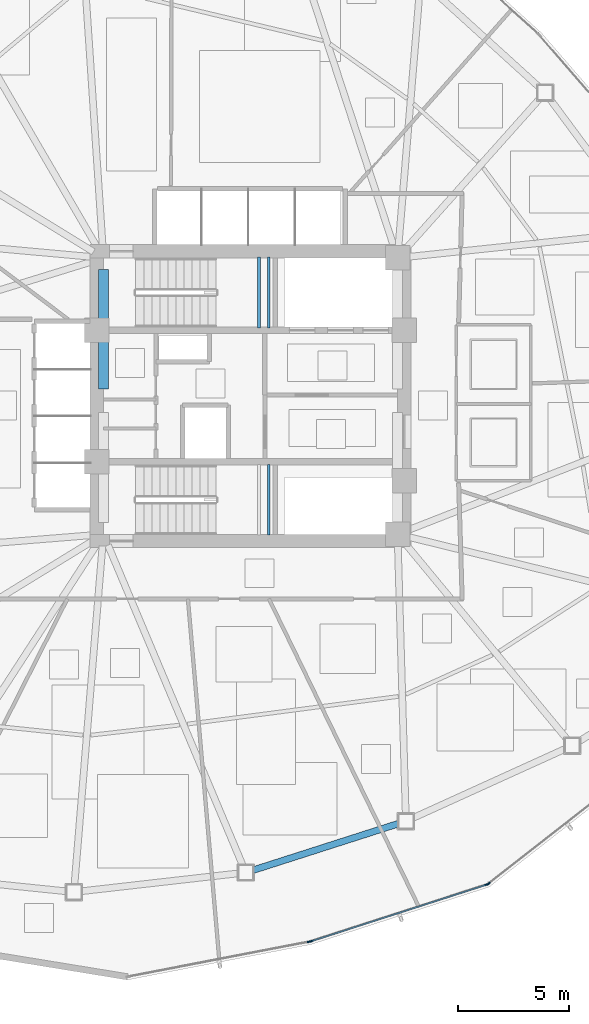
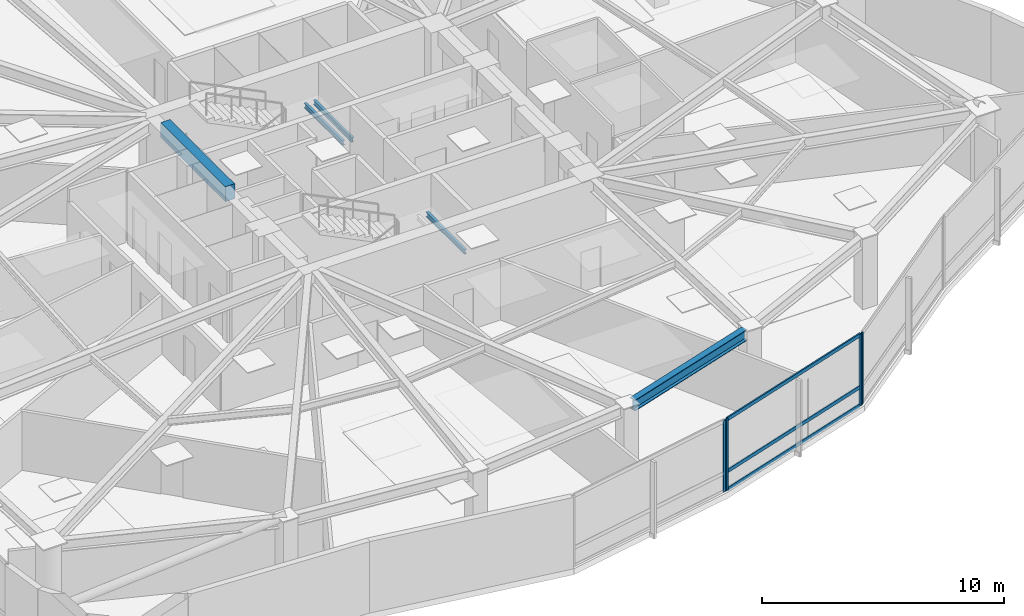
# One storey, part 5 of 17: 7 members, 5 beams, 3 elements without a shape of their own.
"""IFC4 building model written with IfcOpenShell, lengths in metres."""

import ifcopenshell
import ifcopenshell.guid

model = None  # the IFC model being written
_history = None  # IfcOwnerHistory: only IFC2X3 demands one
_inside = {}  # id of a spatial element -> (the spatial element, [elements in it])
_under = {}  # id of a project, library or spatial element -> (it, [spatial elements below it])
_declared = {}  # id of a project -> (the project, [libraries it declares])
_typed = {}  # id of a type object -> (the type object, [elements of that type])
_made_of = {}  # id of a material, layer set ... -> (it, [elements and type objects made of it])


def new_model(schema):
    """Start an empty IFC model of exactly this schema.

    Asked for "IFC4X3", IfcOpenShell would pick the latest addendum, in which some entities
    have other attributes; the version numbers below select the first issue.
    IFC2X3 requires an IfcOwnerHistory on every rooted entity: one is made here for all.
    """
    global model, _history
    if schema == "IFC4X3":
        model = ifcopenshell.file(schema_version=(4, 3, 0, 0))
    else:
        model = ifcopenshell.file(schema=schema)
    _inside.clear()
    _under.clear()
    _declared.clear()
    _typed.clear()
    _made_of.clear()
    _history = None
    if model.schema == "IFC2X3":
        org = make("IfcOrganization", Name="unknown")
        user = make(
            "IfcPersonAndOrganization",
            ThePerson=make("IfcPerson", FamilyName="unknown"),
            TheOrganization=org,
        )
        app = make(
            "IfcApplication",
            ApplicationDeveloper=org,
            Version="unknown",
            ApplicationFullName="unknown",
            ApplicationIdentifier="unknown",
        )
        _history = make(
            "IfcOwnerHistory",
            OwningUser=user,
            OwningApplication=app,
            ChangeAction="ADDED",
            CreationDate=0,
        )
    return model


def make(cls, **values):
    """One entity of the class cls with the attributes given. An attribute that is None is left unset."""
    return model.create_entity(
        cls, **{name: value for name, value in values.items() if value is not None}
    )


def rooted(cls, **values):
    """An entity with a GlobalId (a new one), such as an element, a storey or a relation."""
    return make(cls, GlobalId=ifcopenshell.guid.new(), OwnerHistory=_history, **values)


def si_unit(unit_type, name, prefix=None):
    """IfcSIUnit, for example si_unit("LENGTHUNIT", "METRE", prefix="MILLI")."""
    return make("IfcSIUnit", UnitType=unit_type, Prefix=prefix, Name=name)


def assignment(units):
    """IfcUnitAssignment: the units of a project."""
    return None if units is None else make("IfcUnitAssignment", Units=units)


def point(xyz):
    """IfcCartesianPoint."""
    return None if xyz is None else make("IfcCartesianPoint", Coordinates=xyz)


def direction(xyz):
    """IfcDirection."""
    return None if xyz is None else make("IfcDirection", DirectionRatios=xyz)


def frame(location, z_axis=None, x_axis=None):
    """IfcAxis2Placement3D, a coordinate frame: its origin and axes. An axis left out is left unset."""
    return make(
        "IfcAxis2Placement3D",
        Location=point(location),
        Axis=direction(z_axis),
        RefDirection=direction(x_axis),
    )


def frame_2d(location, x_axis=None):
    """IfcAxis2Placement2D, a coordinate frame in the plane: its origin and x axis."""
    return make(
        "IfcAxis2Placement2D", Location=point(location), RefDirection=direction(x_axis)
    )


def origin():
    """The frame at (0, 0, 0) with its axes left unset."""
    return frame((0.0, 0.0, 0.0))


def origin_2d():
    """The frame at (0, 0) in the plane with its x axis left unset."""
    return frame_2d((0.0, 0.0))


def place(relative_to, where):
    """IfcLocalPlacement: puts the frame where relative to a parent placement (None: the world)."""
    return make(
        "IfcLocalPlacement", PlacementRelTo=relative_to, RelativePlacement=where
    )


def context(
    kind, dimensions, precision=None, world=None, true_north=None, identifier=None
):
    """IfcGeometricRepresentationContext, for example the 3D "Model" context."""
    return make(
        "IfcGeometricRepresentationContext",
        ContextIdentifier=identifier,
        ContextType=kind,
        CoordinateSpaceDimension=dimensions,
        Precision=precision,
        WorldCoordinateSystem=world,
        TrueNorth=true_north,
    )


def subcontext(parent, identifier, kind, view, scale=None):
    """IfcGeometricRepresentationSubContext, for example "Body" below "Model"."""
    return make(
        "IfcGeometricRepresentationSubContext",
        ContextIdentifier=identifier,
        ContextType=kind,
        ParentContext=parent,
        TargetScale=scale,
        TargetView=view,
    )


def project(units=None, contexts=None):
    """IfcProject with its units and contexts."""
    return rooted(
        "IfcProject",
        Name="project",
        RepresentationContexts=contexts,
        UnitsInContext=assignment(units),
    )


def spatial(cls, under=None, at=None, **own):
    """A site, building, storey or space (cls), placed at a placement, below another one or the project."""
    s = rooted(cls, ObjectPlacement=at, **own)
    if under is not None:
        _under.setdefault(under.id(), (under, []))[1].append(s)
    return s


def profile(cls, at=None, kind="AREA", **sizes):
    """A parametric profile (cls). Its sizes go by their IFC names, for example OverallWidth=200.0."""
    return make(cls, ProfileType=kind, Position=at, **sizes)


def rectangle(**sizes):
    """IfcRectangleProfileDef."""
    return profile("IfcRectangleProfileDef", **sizes)


def hollow_rectangle(**sizes):
    """IfcRectangleHollowProfileDef."""
    return profile("IfcRectangleHollowProfileDef", **sizes)


def i_section(**sizes):
    """IfcIShapeProfileDef."""
    return profile("IfcIShapeProfileDef", **sizes)


def extrude(swept, where, along, depth):
    """IfcExtrudedAreaSolid: the profile swept, set in the frame where, extruded along a direction by depth."""
    return make(
        "IfcExtrudedAreaSolid",
        SweptArea=swept,
        Position=where,
        ExtrudedDirection=direction(along),
        Depth=depth,
    )


def shape(context_of_items, identifier, shape_type, items):
    """IfcShapeRepresentation: the items that make up one representation, for example the "Body"."""
    return make(
        "IfcShapeRepresentation",
        ContextOfItems=context_of_items,
        RepresentationIdentifier=identifier,
        RepresentationType=shape_type,
        Items=items,
    )


def source(mapping_origin, context_of_items, identifier, shape_type, items):
    """IfcRepresentationMap: a shape defined once, which mapped items show again and again."""
    return make(
        "IfcRepresentationMap",
        MappingOrigin=mapping_origin,
        MappedRepresentation=shape(context_of_items, identifier, shape_type, items),
    )


def transform(
    local_origin,
    x_axis=None,
    y_axis=None,
    z_axis=None,
    scale=None,
    scale2=None,
    scale3=None,
    uniform=True,
):
    """IfcCartesianTransformationOperator3D, or its non-uniform kind. x_axis, y_axis, z_axis: its Axis1, 2, 3."""
    if uniform:
        return make(
            "IfcCartesianTransformationOperator3D",
            Axis1=direction(x_axis),
            Axis2=direction(y_axis),
            LocalOrigin=point(local_origin),
            Scale=scale,
            Axis3=direction(z_axis),
        )
    return make(
        "IfcCartesianTransformationOperator3DnonUniform",
        Axis1=direction(x_axis),
        Axis2=direction(y_axis),
        LocalOrigin=point(local_origin),
        Scale=scale,
        Axis3=direction(z_axis),
        Scale2=scale2,
        Scale3=scale3,
    )


def mapped(mapping_source, mapping_target):
    """IfcMappedItem: shows the shape of a source again, moved by a transform."""
    return make(
        "IfcMappedItem", MappingSource=mapping_source, MappingTarget=mapping_target
    )


def material(Name=None, Category=None):
    """IfcMaterial."""
    return make("IfcMaterial", Name=Name, Category=Category)


def layer(
    of_material, thickness, ventilated=None, Name=None, Category=None, Priority=None
):
    """IfcMaterialLayer: one layer of a wall or slab, of a material (None: an air gap)."""
    return make(
        "IfcMaterialLayer",
        Material=of_material,
        LayerThickness=thickness,
        IsVentilated=ventilated,
        Name=Name,
        Category=Category,
        Priority=Priority,
    )


def layer_set(layers, Name=None):
    """IfcMaterialLayerSet."""
    return make("IfcMaterialLayerSet", MaterialLayers=layers, LayerSetName=Name)


def material_profile(
    of_material, cross_section, Name=None, Category=None, Priority=None
):
    """IfcMaterialProfile: a cross section and its material."""
    return make(
        "IfcMaterialProfile",
        Name=Name,
        Material=of_material,
        Profile=cross_section,
        Priority=Priority,
        Category=Category,
    )


def profile_set(profiles, Name=None, composite=None):
    """IfcMaterialProfileSet."""
    return make(
        "IfcMaterialProfileSet",
        Name=Name,
        MaterialProfiles=profiles,
        CompositeProfile=composite,
    )


def made_of(thing, what):
    """Note that an element or type object is made of a material, layer set ...; save() writes the relation."""
    if what is not None:
        _made_of.setdefault(what.id(), (what, []))[1].append(thing)
    return thing


def type_object(cls, material=None, **own):
    """A type object (cls), such as IfcWallType, which elements share."""
    return made_of(rooted(cls, **own), material)


def type_shapes(of_type, sources):
    """Give a type object the sources (RepresentationMaps) that its elements show as mapped items."""
    of_type.RepresentationMaps = sources


def element(
    cls,
    number,
    at=None,
    inside=None,
    cuts=None,
    type_object=None,
    material=None,
    context=None,
    identifier="Body",
    shape_type=None,
    held_by="IfcProductDefinitionShape",
    body=None,
    shapes=None,
    **own,
):
    """One element of the class cls, such as IfcWall. Its Tag is "e" and its number.

    at: its placement. inside: the storey or other place that contains it. cuts: it is an
    opening in that element (IfcRelVoidsElement). A single representation is given by context,
    identifier, shape_type and body (its items); several are given by shapes. held_by: the class
    of the entity that holds the representations. save() writes the other relations.
    """
    e = rooted(cls, Tag="e%d" % number, ObjectPlacement=at, **own)
    if body is not None:
        shapes = [shape(context, identifier, shape_type, body)]
    if shapes is not None:
        e.Representation = make(held_by, Representations=shapes)
    if inside is not None:
        _inside.setdefault(inside.id(), (inside, []))[1].append(e)
    if cuts is not None:
        rooted(
            "IfcRelVoidsElement", RelatingBuildingElement=cuts, RelatedOpeningElement=e
        )
    if type_object is not None:
        _typed.setdefault(type_object.id(), (type_object, []))[1].append(e)
    return made_of(e, material)


def aggregate(whole, parts):
    """IfcRelAggregates: a whole, such as a stair, and the parts it consists of."""
    return rooted("IfcRelAggregates", RelatingObject=whole, RelatedObjects=parts)


def save(model, path):
    """Write the relations noted so far, then the file.

    IfcRelAggregates (storeys below a building ...), IfcRelContainedInSpatialStructure (elements
    in a storey), IfcRelDefinesByType, IfcRelAssociatesMaterial and IfcRelDeclares: one each for
    every whole, place, type object, material and project.
    """
    for whole, parts in _under.values():
        aggregate(whole, parts)
    for where, things in _inside.values():
        rooted(
            "IfcRelContainedInSpatialStructure",
            RelatedElements=things,
            RelatingStructure=where,
        )
    for kind, things in _typed.values():
        rooted("IfcRelDefinesByType", RelatedObjects=things, RelatingType=kind)
    for what, things in _made_of.values():
        rooted("IfcRelAssociatesMaterial", RelatedObjects=things, RelatingMaterial=what)
    for by, libraries in _declared.values():
        rooted("IfcRelDeclares", RelatingContext=by, RelatedDefinitions=libraries)
    model.write(path)


model = new_model("IFC4")

# Units and contexts
model_context = context("Model", 3, precision=1e-05, world=origin(), true_north=direction((0.0, 1.0)))
body_context = subcontext(model_context, "Body", "Model", "MODEL_VIEW")
ifc_project = project(units=[si_unit("LENGTHUNIT", "METRE"), si_unit("AREAUNIT", "SQUARE_METRE"), si_unit("VOLUMEUNIT", "CUBIC_METRE"), si_unit("PLANEANGLEUNIT", "RADIAN"), si_unit("MASSUNIT", "GRAM", prefix="KILO")], contexts=[model_context])

# Site, building, storey
site_placement = place(None, origin())
site = spatial("IfcSite", under=ifc_project, at=site_placement, CompositionType="ELEMENT")
building_placement = place(site_placement, origin())
building = spatial("IfcBuilding", under=site, at=building_placement, Name="Tavelor Broadcast Tower", CompositionType="ELEMENT")
storey_placement = place(building_placement, frame((0.0, 0.0, 86.10009765625)))
storey = spatial("IfcBuildingStorey", under=building, at=storey_placement, Name="L20", CompositionType="ELEMENT", Elevation=86.10009765625)

# Beams
ifc_material_1 = material(Name="Concrete C40/50", Category="concrete")
ifc_material_profile_1 = material_profile(ifc_material_1, rectangle(XDim=0.449951171875, YDim=0.75, at=origin_2d()), Name="RC 450x750")
ifc_profile_set_1 = profile_set([ifc_material_profile_1], Name="Concrete C40/50")
beam_type_1 = type_object("IfcBeamType", Name="Basement Core Trim Beam 450x750", PredefinedType="BEAM", material=ifc_profile_set_1)
beam_1_placement = place(storey_placement, frame((43.39990234375, 45.327880859375, 3.224853515625), z_axis=(0.0, 1.0, 0.0), x_axis=(-1.0, 0.0, 0.0)))
element("IfcBeam", 1, at=beam_1_placement, inside=storey, type_object=beam_type_1, Name="L20 Core West-N Tie Girder", PredefinedType="BEAM", context=body_context, shape_type="SweptSolid", body=[
    extrude(rectangle(XDim=0.449951171875, YDim=0.75, at=origin_2d()), origin(), (0.0, 0.0, 1.0), 5.34423828125),
])
ifc_material_2 = material(Name="Steel S355", Category="steel")
ifc_material_profile_2 = material_profile(ifc_material_2, i_section(OverallWidth=0.300048828125, OverallDepth=0.550048828125, WebThickness=0.014892578125, FlangeThickness=0.029052734375, at=origin_2d()), Name="HEB 550")
ifc_profile_set_2 = profile_set([ifc_material_profile_2], Name="Steel S355")
beam_type_2 = type_object("IfcBeamType", Name="Perimeter Spandrel Beam T2 HEB 550", PredefinedType="SPANDREL", material=ifc_profile_set_2)
beam_2_placement = place(storey_placement, frame((50.106689453125, 23.720458984375, 3.324951171875), z_axis=(0.952297103541, 0.305172453849, 0.0), x_axis=(-0.305172453849, 0.952297103541, 0.0)))
element("IfcBeam", 2, at=beam_2_placement, inside=storey, type_object=beam_type_2, Name="L20 Framed-Tube Ring Spandrel 10", PredefinedType="SPANDREL", context=body_context, shape_type="SweptSolid", body=[
    extrude(i_section(OverallWidth=0.300048828125, OverallDepth=0.550048828125, WebThickness=0.014892578125, FlangeThickness=0.029052734375, at=origin_2d()), origin(), (0.0, 0.0, 1.0), 6.876953125),
])
ifc_material_profile_3 = material_profile(ifc_material_2, i_section(OverallWidth=0.1201171875, OverallDepth=0.239990234375, WebThickness=0.006103515625, FlangeThickness=0.009765625, at=origin_2d()), Name="IPE 240")
ifc_profile_set_3 = profile_set([ifc_material_profile_3], Name="Steel S355")
beam_type_3 = type_object("IfcBeamType", Name="Stairwell Landing Support Trimmer Beam IPE240", PredefinedType="BEAM", material=ifc_profile_set_3)
for number, where, z_axis, x_axis, name in (
    (3, (50.385009765625, 48.06005859375, 1.635009765625), (0.0, 1.0, 0.0), (-1.0, 0.0, 0.0), "L20 Stair Landing Support Beam 65"),
    (4, (50.824951171875, 48.06005859375, 1.635009765625), (0.0, 1.0, 0.0), (-1.0, 0.0, 0.0), "L20 Stair Landing Support Beam 66"),
    (5, (50.824951171875, 38.760009765625, 1.635009765625), (0.0, 1.0, 0.0), (-1.0, 0.0, 0.0), "L20 Stair Landing Support Beam 280"),
):
    element("IfcBeam", number, at=place(storey_placement, frame(where, z_axis=z_axis, x_axis=x_axis)), inside=storey, type_object=beam_type_3, Name=name, PredefinedType="BEAM", context=body_context, shape_type="SweptSolid", body=[
        extrude(i_section(OverallWidth=0.1201171875, OverallDepth=0.239990234375, WebThickness=0.006103515625, FlangeThickness=0.009765625, at=origin_2d()), origin(), (0.0, 0.0, 1.0), 3.179931640625),
    ])

# Curtain wall, member
ifc_material_3 = material(Name="Architectural Anodized Aluminium", Category="aluminium")
ifc_layer = layer(ifc_material_3, 0.179931640625)
ifc_layer_set = layer_set([ifc_layer], Name="Architectural Anodized Aluminium")
curtain_wall_type = type_object("IfcCurtainWallType", Name="Tower Low-Zone Unitised Curtain Wall CW02", PredefinedType="NOTDEFINED", material=ifc_layer_set)
curtain_wall_1_placement = place(storey_placement, origin())
curtain_wall_1 = element("IfcCurtainWall", 6, at=curtain_wall_1_placement, inside=storey, type_object=curtain_wall_type, Name="L20 Curtain Wall CW02 Run 197", PredefinedType="NOTDEFINED")
ifc_material_profile_4 = material_profile(ifc_material_3, hollow_rectangle(XDim=0.06494140625, YDim=0.179931640625, WallThickness=0.02197265625, at=origin_2d()), Name="RHS 65x180x22")
ifc_profile_set_4 = profile_set([ifc_material_profile_4], Name="Architectural Anodized Aluminium")
member_type_1 = type_object("IfcMemberType", Name="CW02 Extruded Aluminium Mullion 65x180", PredefinedType="MULLION", material=ifc_profile_set_4)
shared_shape_1 = source(origin(), body_context, "Body", "SweptSolid", [
    extrude(hollow_rectangle(XDim=0.06494140625, YDim=0.179931640625, WallThickness=0.02197265625, at=origin_2d()), origin(), (0.0, 0.0, 1.0), 3.599853515625),
])
type_shapes(member_type_1, [shared_shape_1])
member_1_placement = place(storey_placement, frame((52.63818359375, 20.513427734375, 0.0), z_axis=(0.0, 0.0, 1.0), x_axis=(-0.189519891862, 0.981876881584, 0.0)))
member_1 = element("IfcMember", 7, at=member_1_placement, type_object=member_type_1, Name="CW02 mullion 2", PredefinedType="MULLION", context=body_context, shape_type="MappedRepresentation", body=[
    mapped(shared_shape_1, transform((0.0, 0.0, 0.0), scale=1.0)),
])
aggregate(curtain_wall_1, [member_1])

# Curtain wall, members
curtain_wall_2_placement = place(storey_placement, origin())
curtain_wall_2 = element("IfcCurtainWall", 8, at=curtain_wall_2_placement, inside=storey, type_object=curtain_wall_type, Name="L20 Curtain Wall CW02 Run 198", PredefinedType="NOTDEFINED")
member_2_placement = place(storey_placement, frame((52.72998046875, 20.536865234375, 0.0), z_axis=(0.0, 0.0, 1.0), x_axis=(-0.306943884117, 0.951727614395, 0.0)))
member_2 = element("IfcMember", 9, at=member_2_placement, type_object=member_type_1, Name="CW02 mullion 1", PredefinedType="MULLION", context=body_context, shape_type="MappedRepresentation", body=[
    mapped(shared_shape_1, transform((0.0, 0.0, 0.0), scale=1.0)),
])
member_3_placement = place(storey_placement, frame((60.600341796875, 23.0751953125, 0.0), z_axis=(0.0, 0.0, 1.0), x_axis=(-0.306943884117, 0.951727614395, 0.0)))
member_3 = element("IfcMember", 10, at=member_3_placement, type_object=member_type_1, Name="CW02 mullion 2", PredefinedType="MULLION", context=body_context, shape_type="MappedRepresentation", body=[
    mapped(shared_shape_1, transform((0.0, 0.0, 0.0), scale=1.0)),
])

# Curtain wall, member
curtain_wall_3_placement = place(storey_placement, origin())
curtain_wall_3 = element("IfcCurtainWall", 11, at=curtain_wall_3_placement, inside=storey, type_object=curtain_wall_type, Name="L20 Curtain Wall CW02 Run 199", PredefinedType="NOTDEFINED")
member_4_placement = place(storey_placement, frame((60.682861328125, 23.119140625, 0.0), z_axis=(0.0, 0.0, 1.0), x_axis=(-0.616576649978, 0.787294884209, 0.0)))
member_4 = element("IfcMember", 12, at=member_4_placement, type_object=member_type_1, Name="CW02 mullion 1", PredefinedType="MULLION", context=body_context, shape_type="MappedRepresentation", body=[
    mapped(shared_shape_1, transform((0.0, 0.0, 0.0), scale=1.0)),
])
aggregate(curtain_wall_3, [member_4])

# Member
ifc_material_profile_5 = material_profile(ifc_material_3, hollow_rectangle(XDim=0.06494140625, YDim=0.179931640625, WallThickness=0.02197265625, at=origin_2d()), Name="RHS 65x180x22")
ifc_profile_set_5 = profile_set([ifc_material_profile_5], Name="Architectural Anodized Aluminium")
member_type_2 = type_object("IfcMemberType", Name="CW02 Extruded Aluminium Transom 65x180", PredefinedType="USERDEFINED", material=ifc_profile_set_5)
shared_shape_2 = source(origin(), body_context, "Body", "SweptSolid", [
    extrude(hollow_rectangle(XDim=0.06494140625, YDim=0.179931640625, WallThickness=0.02197265625, at=origin_2d()), origin(), (0.0, 0.0, 1.0), 8.204345703125),
])
type_shapes(member_type_2, [shared_shape_2])
member_5_placement = place(storey_placement, frame((52.760986328125, 20.546875, 0.032470703125), z_axis=(0.951726846268, 0.306946265806, 0.0), x_axis=(-0.306946265806, 0.951726846268, 0.0)))
member_5 = element("IfcMember", 13, at=member_5_placement, type_object=member_type_2, Name="CW02 transom 1.1", ObjectType="TRANSOM", PredefinedType="USERDEFINED", context=body_context, shape_type="MappedRepresentation", body=[
    mapped(shared_shape_2, transform((0.0, 0.0, 0.0), scale=1.0)),
])

member_6_placement = place(storey_placement, frame((52.760986328125, 20.546875, 0.949951171875), z_axis=(0.951726846268, 0.306946265806, 0.0), x_axis=(-0.306946265806, 0.951726846268, 0.0)))
member_6 = element("IfcMember", 14, at=member_6_placement, type_object=member_type_2, Name="CW02 transom 1.2", ObjectType="TRANSOM", PredefinedType="USERDEFINED", context=body_context, shape_type="MappedRepresentation", body=[
    mapped(shared_shape_2, transform((0.0, 0.0, 0.0), scale=1.0)),
])

member_7_placement = place(storey_placement, frame((52.760986328125, 20.546875, 3.5673828125), z_axis=(0.951726846268, 0.306946265806, 0.0), x_axis=(-0.306946265806, 0.951726846268, 0.0)))
member_7 = element("IfcMember", 15, at=member_7_placement, type_object=member_type_2, Name="CW02 transom 1.3", ObjectType="TRANSOM", PredefinedType="USERDEFINED", context=body_context, shape_type="MappedRepresentation", body=[
    mapped(shared_shape_2, transform((0.0, 0.0, 0.0), scale=1.0)),
])

aggregate(curtain_wall_2, [member_2, member_3, member_5, member_6, member_7])

save(model, "model.ifc")
